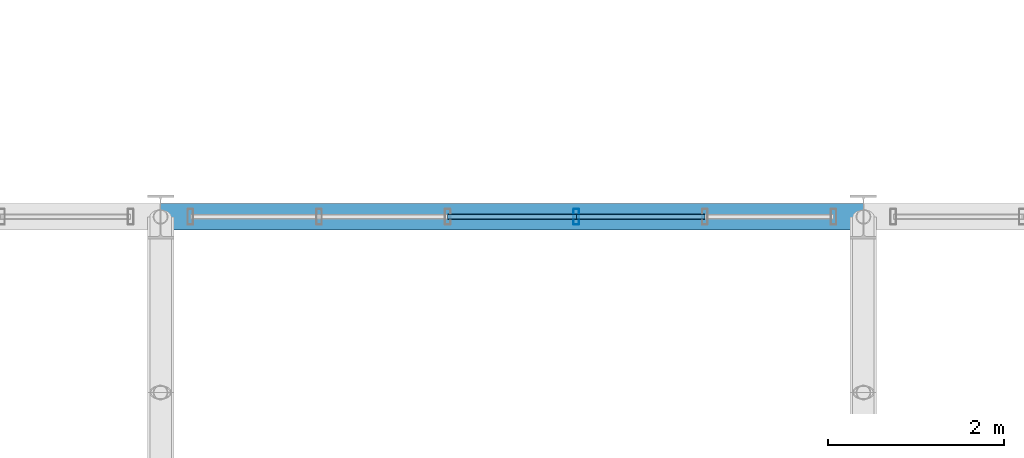
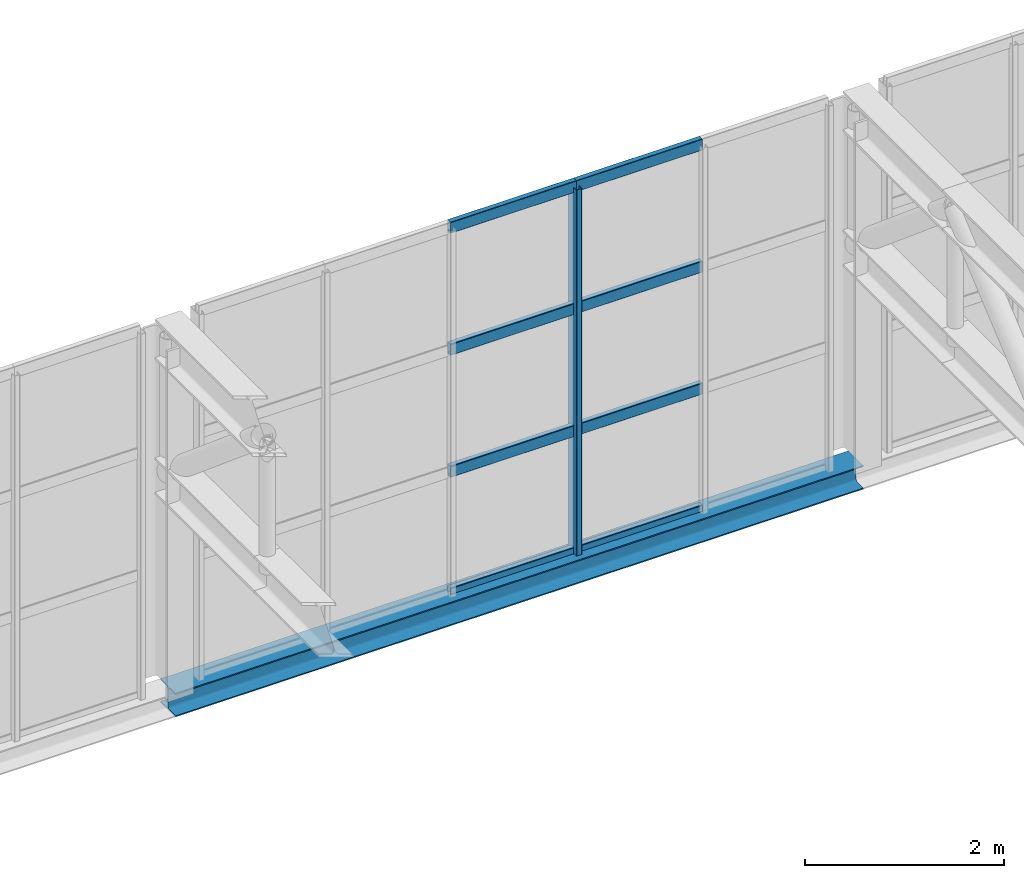
# One storey, part 56 of 143: 9 members, 1 beam, 1 element without a shape of its own.
"""IFC4 building model written with IfcOpenShell, lengths in metres."""

from ifc_helpers import new_model, si_unit, derived_unit, direction, frame, origin, origin_2d, place, context, subcontext, project, spatial, hollow_rectangle, i_section, extrude, material, material_profile, profile_set, type_object, element, aggregate, save


model = new_model("IFC4")

# Units and contexts
model_context = context("Model", 3, precision=1e-05, world=origin(), true_north=direction((0.0, 1.0)))
body_context = subcontext(model_context, "Body", "Model", "MODEL_VIEW")
ifc_project = project(units=[si_unit("LENGTHUNIT", "METRE"), si_unit("AREAUNIT", "SQUARE_METRE"), si_unit("VOLUMEUNIT", "CUBIC_METRE"), si_unit("PLANEANGLEUNIT", "RADIAN"), si_unit("MASSUNIT", "GRAM", prefix="KILO"), derived_unit("THERMALTRANSMITTANCEUNIT", [(si_unit("POWERUNIT", "WATT"), 1), (si_unit("LENGTHUNIT", "METRE"), -2), (si_unit("THERMODYNAMICTEMPERATUREUNIT", "KELVIN"), -1)])], contexts=[model_context])

# Site, building, storey
site_placement = place(None, origin())
site = spatial("IfcSite", under=ifc_project, at=site_placement, CompositionType="ELEMENT")
building_placement = place(site_placement, origin())
building = spatial("IfcBuilding", under=site, at=building_placement, Name="Keldorne Ridge Multi-Sports Centre", CompositionType="ELEMENT")
storey_placement = place(building_placement, frame((0.0, 0.0, 4.800048828125)))
storey = spatial("IfcBuildingStorey", under=building, at=storey_placement, Name="L01", CompositionType="ELEMENT", Elevation=4.800048828125)

# Beam
ifc_material_1 = material(Name="Steel S355", Category="steel")
ifc_material_profile_1 = material_profile(ifc_material_1, i_section(OverallWidth=0.300048828125, OverallDepth=0.2900390625, WebThickness=0.008544921875, FlangeThickness=0.013916015625, FilletRadius=0.027099609375, at=origin_2d()), Name="HEA 300")
ifc_profile_set_1 = profile_set([ifc_material_profile_1], Name="Steel S355")
beam_type = type_object("IfcBeamType", Name="BM-SP-04", PredefinedType="SPANDREL", material=ifc_profile_set_1)
beam_placement = place(storey_placement, frame((128.0, 54.0, -0.150146484375), z_axis=(1.0, 0.0, 0.0), x_axis=(0.0, 1.0, 0.0)))
element("IfcBeam", 1, at=beam_placement, inside=storey, type_object=beam_type, Name="Stacked Courts spandrel L01.54.4", PredefinedType="SPANDREL", context=body_context, shape_type="SweptSolid", body=[
    extrude(i_section(OverallWidth=0.300048828125, OverallDepth=0.2900390625, WebThickness=0.008544921875, FlangeThickness=0.013916015625, FilletRadius=0.027099609375, at=origin_2d()), origin(), (0.0, 0.0, 1.0), 8.0),
])

# Curtain wall, members
ifc_material_2 = material(Name="Anodized aluminium", Category="aluminium")
curtain_wall_type = type_object("IfcCurtainWallType", Name="CW-CW-06", PredefinedType="NOTDEFINED", material=ifc_material_2)
curtain_wall_placement = place(storey_placement, origin())
curtain_wall = element("IfcCurtainWall", 2, at=curtain_wall_placement, inside=storey, type_object=curtain_wall_type, Name="Lower Courts north clerestory 110", PredefinedType="NOTDEFINED")
ifc_material_profile_2 = material_profile(ifc_material_2, hollow_rectangle(XDim=0.06494140625, YDim=0.179931640625, WallThickness=0.00439453125, InnerFilletRadius=0.00439453125, OuterFilletRadius=0.009033203125, at=origin_2d()), Name="ALU MULLION 180x65x4.5")
ifc_profile_set_2 = profile_set([ifc_material_profile_2], Name="Anodized aluminium")
member_type_1 = type_object("IfcMemberType", Name="MEM-ML-01", PredefinedType="MULLION", material=ifc_profile_set_2)
member_1_placement = place(storey_placement, frame((132.73193359375, 54.0, 0.0), z_axis=(0.0, 0.0, 1.0), x_axis=(1.0, 0.0, 0.0)))
member_1 = element("IfcMember", 3, at=member_1_placement, type_object=member_type_1, Name="CW-110 vertical mullion 3", PredefinedType="MULLION", context=body_context, shape_type="SweptSolid", body=[
    extrude(hollow_rectangle(XDim=0.06494140625, YDim=0.179931640625, WallThickness=0.00439453125, InnerFilletRadius=0.00439453125, OuterFilletRadius=0.009033203125, at=origin_2d()), origin(), (0.0, 0.0, 1.0), 4.5),
])
ifc_material_profile_3 = material_profile(ifc_material_2, hollow_rectangle(XDim=0.06494140625, YDim=0.139892578125, WallThickness=0.00439453125, InnerFilletRadius=0.00439453125, OuterFilletRadius=0.009033203125, at=origin_2d()), Name="ALU TRANSOM 140x65x4.5")
ifc_profile_set_3 = profile_set([ifc_material_profile_3], Name="Anodized aluminium")
member_type_2 = type_object("IfcMemberType", Name="MEM-TR-01", PredefinedType="USERDEFINED", material=ifc_profile_set_3)
member_2_placement = place(storey_placement, frame((134.196044921875, 54.0, 0.0), z_axis=(-1.0, 0.0, 0.0), x_axis=(0.0, -1.0, 0.0)))
member_2 = element("IfcMember", 4, at=member_2_placement, type_object=member_type_2, Name="CW-110 transom 2.1", ObjectType="TRANSOM", PredefinedType="USERDEFINED", context=body_context, shape_type="SweptSolid", body=[
    extrude(hollow_rectangle(XDim=0.06494140625, YDim=0.139892578125, WallThickness=0.00439453125, InnerFilletRadius=0.00439453125, OuterFilletRadius=0.009033203125, at=origin_2d()), origin(), (0.0, 0.0, 1.0), 1.464111328125),
])
member_3_placement = place(storey_placement, frame((134.196044921875, 54.0, 1.5), z_axis=(-1.0, 0.0, 0.0), x_axis=(0.0, -1.0, 0.0)))
member_3 = element("IfcMember", 5, at=member_3_placement, type_object=member_type_2, Name="CW-110 transom 2.2", ObjectType="TRANSOM", PredefinedType="USERDEFINED", context=body_context, shape_type="SweptSolid", body=[
    extrude(hollow_rectangle(XDim=0.06494140625, YDim=0.139892578125, WallThickness=0.00439453125, InnerFilletRadius=0.00439453125, OuterFilletRadius=0.009033203125, at=origin_2d()), origin(), (0.0, 0.0, 1.0), 1.464111328125),
])
member_4_placement = place(storey_placement, frame((134.196044921875, 54.0, 3.0), z_axis=(-1.0, 0.0, 0.0), x_axis=(0.0, -1.0, 0.0)))
member_4 = element("IfcMember", 6, at=member_4_placement, type_object=member_type_2, Name="CW-110 transom 2.3", ObjectType="TRANSOM", PredefinedType="USERDEFINED", context=body_context, shape_type="SweptSolid", body=[
    extrude(hollow_rectangle(XDim=0.06494140625, YDim=0.139892578125, WallThickness=0.00439453125, InnerFilletRadius=0.00439453125, OuterFilletRadius=0.009033203125, at=origin_2d()), origin(), (0.0, 0.0, 1.0), 1.464111328125),
])
member_5_placement = place(storey_placement, frame((134.196044921875, 54.0, 4.5), z_axis=(-1.0, 0.0, 0.0), x_axis=(0.0, -1.0, 0.0)))
member_5 = element("IfcMember", 7, at=member_5_placement, type_object=member_type_2, Name="CW-110 transom 2.4", ObjectType="TRANSOM", PredefinedType="USERDEFINED", context=body_context, shape_type="SweptSolid", body=[
    extrude(hollow_rectangle(XDim=0.06494140625, YDim=0.139892578125, WallThickness=0.00439453125, InnerFilletRadius=0.00439453125, OuterFilletRadius=0.009033203125, at=origin_2d()), origin(), (0.0, 0.0, 1.0), 1.464111328125),
])
member_6_placement = place(storey_placement, frame((132.73193359375, 54.0, 0.0), z_axis=(-1.0, 0.0, 0.0), x_axis=(0.0, -1.0, 0.0)))
member_6 = element("IfcMember", 8, at=member_6_placement, type_object=member_type_2, Name="CW-110 transom 3.1", ObjectType="TRANSOM", PredefinedType="USERDEFINED", context=body_context, shape_type="SweptSolid", body=[
    extrude(hollow_rectangle(XDim=0.06494140625, YDim=0.139892578125, WallThickness=0.00439453125, InnerFilletRadius=0.00439453125, OuterFilletRadius=0.009033203125, at=origin_2d()), origin(), (0.0, 0.0, 1.0), 1.4638671875),
])
member_7_placement = place(storey_placement, frame((132.73193359375, 54.0, 1.5), z_axis=(-1.0, 0.0, 0.0), x_axis=(0.0, -1.0, 0.0)))
member_7 = element("IfcMember", 9, at=member_7_placement, type_object=member_type_2, Name="CW-110 transom 3.2", ObjectType="TRANSOM", PredefinedType="USERDEFINED", context=body_context, shape_type="SweptSolid", body=[
    extrude(hollow_rectangle(XDim=0.06494140625, YDim=0.139892578125, WallThickness=0.00439453125, InnerFilletRadius=0.00439453125, OuterFilletRadius=0.009033203125, at=origin_2d()), origin(), (0.0, 0.0, 1.0), 1.4638671875),
])
member_8_placement = place(storey_placement, frame((132.73193359375, 54.0, 3.0), z_axis=(-1.0, 0.0, 0.0), x_axis=(0.0, -1.0, 0.0)))
member_8 = element("IfcMember", 10, at=member_8_placement, type_object=member_type_2, Name="CW-110 transom 3.3", ObjectType="TRANSOM", PredefinedType="USERDEFINED", context=body_context, shape_type="SweptSolid", body=[
    extrude(hollow_rectangle(XDim=0.06494140625, YDim=0.139892578125, WallThickness=0.00439453125, InnerFilletRadius=0.00439453125, OuterFilletRadius=0.009033203125, at=origin_2d()), origin(), (0.0, 0.0, 1.0), 1.4638671875),
])
member_9_placement = place(storey_placement, frame((132.73193359375, 54.0, 4.5), z_axis=(-1.0, 0.0, 0.0), x_axis=(0.0, -1.0, 0.0)))
member_9 = element("IfcMember", 11, at=member_9_placement, type_object=member_type_2, Name="CW-110 transom 3.4", ObjectType="TRANSOM", PredefinedType="USERDEFINED", context=body_context, shape_type="SweptSolid", body=[
    extrude(hollow_rectangle(XDim=0.06494140625, YDim=0.139892578125, WallThickness=0.00439453125, InnerFilletRadius=0.00439453125, OuterFilletRadius=0.009033203125, at=origin_2d()), origin(), (0.0, 0.0, 1.0), 1.4638671875),
])
aggregate(curtain_wall, [member_1, member_2, member_3, member_4, member_5, member_6, member_7, member_8, member_9])

save(model, "model.ifc")
